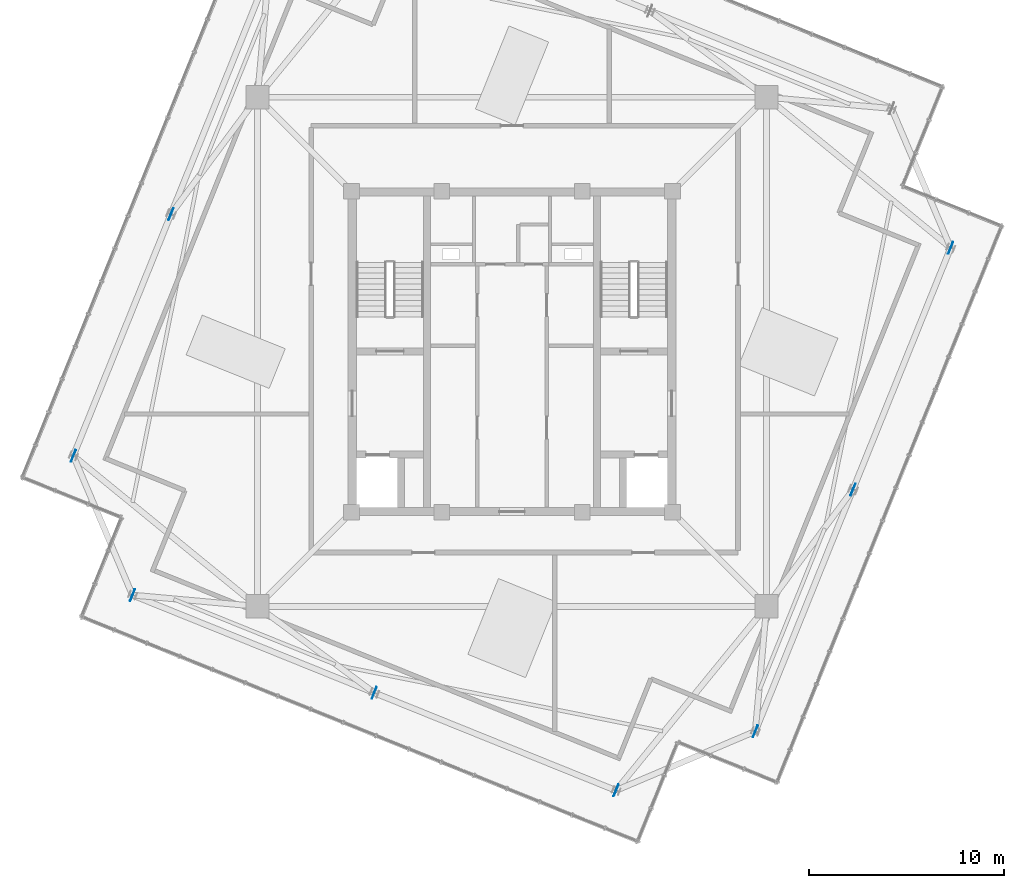
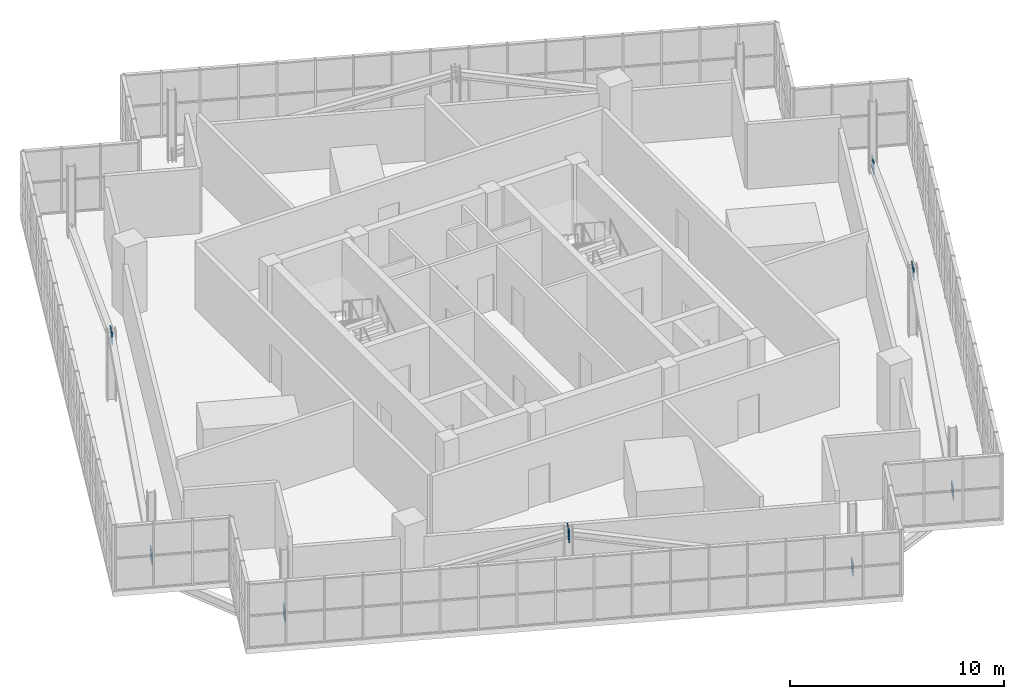
# One storey, part 21 of 26: 8 plates.
"""IFC4 building model written with IfcOpenShell, lengths in metres."""

from ifc_helpers import new_model, si_unit, direction, frame, origin, origin_2d, place, context, subcontext, project, spatial, rectangle, extrude, source, transform, mapped, material, layer, layer_set, type_object, element, save


model = new_model("IFC4")

# Units and contexts
model_context = context("Model", 3, precision=1e-05, world=origin(), true_north=direction((0.0, 1.0)))
body_context = subcontext(model_context, "Body", "Model", "MODEL_VIEW")
ifc_project = project(units=[si_unit("LENGTHUNIT", "METRE"), si_unit("AREAUNIT", "SQUARE_METRE"), si_unit("VOLUMEUNIT", "CUBIC_METRE"), si_unit("PLANEANGLEUNIT", "RADIAN"), si_unit("MASSUNIT", "GRAM", prefix="KILO"), si_unit("THERMODYNAMICTEMPERATUREUNIT", "KELVIN")], contexts=[model_context])

# Site, building, storey
site_placement = place(None, origin())
site = spatial("IfcSite", under=ifc_project, at=site_placement, CompositionType="ELEMENT")
building_placement = place(site_placement, origin())
building = spatial("IfcBuilding", under=site, at=building_placement, Name="Kosmvard Interchange Tower", CompositionType="ELEMENT")
storey_placement = place(building_placement, frame((0.0, 0.0, 329.60009765625)))
storey = spatial("IfcBuildingStorey", under=building, at=storey_placement, Name="L81", CompositionType="ELEMENT", Elevation=329.60009765625)

# Plates
ifc_material = material(Name="Steel S355", Category="steel")
ifc_layer = layer(ifc_material, 0.0380859375, Name="Steel S355")
ifc_layer_set = layer_set([ifc_layer], Name="Steel S355")
plate_type = type_object("IfcPlateType", Name="Lantern Base & Chord End Cap Stiffener 750x750x38 S355", PredefinedType="USERDEFINED", material=ifc_layer_set)
shared_shape = source(origin(), body_context, "Body", "SweptSolid", [
    extrude(rectangle(XDim=0.64990234375, YDim=0.0380859375, at=origin_2d()), origin(), (0.0, 0.0, 1.0), 0.64990234375),
])
for number, where, z_axis, x_axis, name in (
    (1, (12.504150390625, -19.50439453125, 0.094970703125), (0.0, 0.0, 1.0), (0.374606593416, 0.927183854567, 0.0), "L81 Crown Diagrid Node Gusset Plate LAS"),
    (2, (22.54345703125, 5.34423828125, 0.094970703125), (0.0, 0.0, 1.0), (0.374606593416, 0.927183854567, 0.0), "L81 Crown Diagrid Node Gusset Plate LBS"),
    (3, (17.523681640625, -7.080078125, 3.324951171875), (0.0, 0.0, 1.0), (0.374606593416, 0.927183854567, 0.0), "L81 Crown Diagrid Node Gusset Plate LMS"),
    (4, (-22.54345703125, -5.34423828125, 0.094970703125), (0.0, 0.0, 1.0), (0.374606593416, 0.927183854567, 0.0), "L81 Crown Diagrid Node Gusset Plate LBN"),
    (5, (-17.523681640625, 7.080078125, 3.324951171875), (0.0, 0.0, 1.0), (0.374606593416, 0.927183854567, 0.0), "L81 Crown Diagrid Node Gusset Plate LMN"),
    (6, (-19.50439453125, -12.504150390625, 0.094970703125), (0.0, 0.0, 1.0), (0.374606593416, 0.927183854567, 0.0), "L81 Crown Diagrid Node Gusset Plate LAW"),
    (7, (5.34423828125, -22.54345703125, 0.094970703125), (0.0, 0.0, 1.0), (0.374606593416, 0.927183854567, 0.0), "L81 Crown Diagrid Node Gusset Plate LBW"),
    (8, (-7.080078125, -17.523681640625, 3.324951171875), (0.0, 0.0, 1.0), (0.374606593416, 0.927183854567, 0.0), "L81 Crown Diagrid Node Gusset Plate LMW"),
):
    element("IfcPlate", number, at=place(storey_placement, frame(where, z_axis=z_axis, x_axis=x_axis)), inside=storey, type_object=plate_type, Name=name, ObjectType="STIFFENER_PLATE", PredefinedType="USERDEFINED", context=body_context, shape_type="MappedRepresentation", body=[
        mapped(shared_shape, transform((0.0, 0.0, 0.0), scale=1.0)),
    ])

save(model, "model.ifc")
